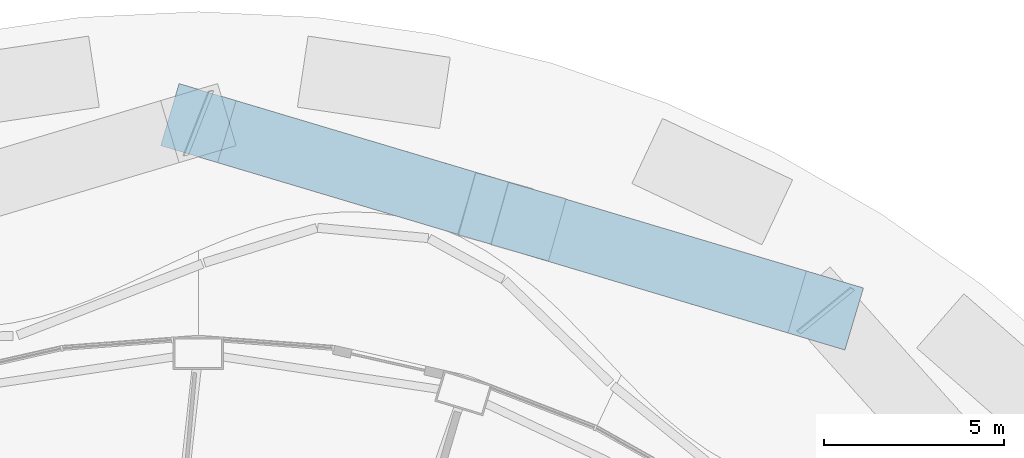
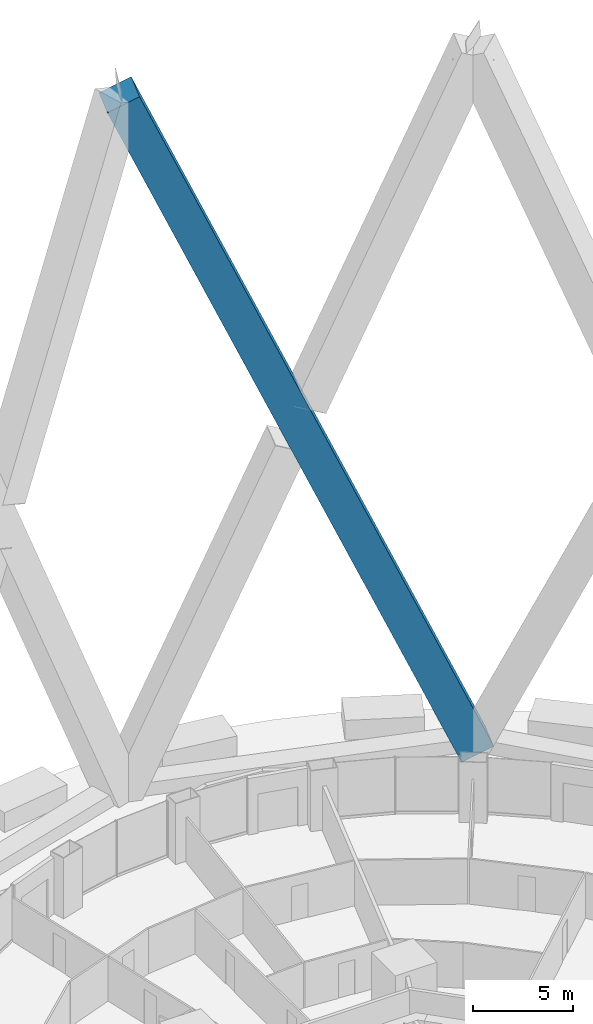
# One storey, part 28 of 42: 1 member.
"""IFC4 building model written with IfcOpenShell, lengths in metres."""

from ifc_helpers import new_model, si_unit, direction, frame, origin, origin_2d, place, context, subcontext, project, spatial, rectangle, extrude, material, material_profile, profile_set, type_object, element, save


model = new_model("IFC4")

# Units and contexts
model_context = context("Model", 3, precision=1e-05, world=origin(), true_north=direction((0.0, 1.0)))
body_context = subcontext(model_context, "Body", "Model", "MODEL_VIEW")
ifc_project = project(units=[si_unit("LENGTHUNIT", "METRE"), si_unit("AREAUNIT", "SQUARE_METRE"), si_unit("VOLUMEUNIT", "CUBIC_METRE"), si_unit("PLANEANGLEUNIT", "RADIAN"), si_unit("MASSUNIT", "GRAM", prefix="KILO")], contexts=[model_context])

# Site, building, storey
site_placement = place(None, origin())
site = spatial("IfcSite", under=ifc_project, at=site_placement, CompositionType="ELEMENT")
building_placement = place(site_placement, origin())
building = spatial("IfcBuilding", under=site, at=building_placement, Name="Nagisa Residences", CompositionType="ELEMENT")
storey_placement = place(building_placement, frame((0.0, 0.0, 27.0)))
storey = spatial("IfcBuildingStorey", under=building, at=storey_placement, Name="L05", CompositionType="ELEMENT", Elevation=27.0)

# Member
ifc_material = material(Name="Concrete C80", Category="concrete")
ifc_material_profile = material_profile(ifc_material, rectangle(XDim=1.800048828125, YDim=1.800048828125, at=origin_2d()), Name="C80 1800x1800")
ifc_profile_set = profile_set([ifc_material_profile], Name="Concrete C80")
member_type = type_object("IfcMemberType", Name="Cage diagonal 1 C80 1800x1800", PredefinedType="BRACE", material=ifc_profile_set)
member_placement = place(storey_placement, frame((21.050048828125, 33.6884765625, 0.0), z_axis=(-0.376648329814, 0.11248597759, 0.919501463019), x_axis=(-0.286160818673, -0.958181603798, 0.0)))
element("IfcMember", 1, at=member_placement, inside=storey, type_object=member_type, Name="mem:L05:cg1d105", PredefinedType="BRACE", context=body_context, shape_type="SweptSolid", body=[
    extrude(rectangle(XDim=1.800048828125, YDim=1.800048828125, at=origin_2d()), origin(), (0.0, 0.0, 1.0), 46.32958984375),
])

save(model, "model.ifc")
